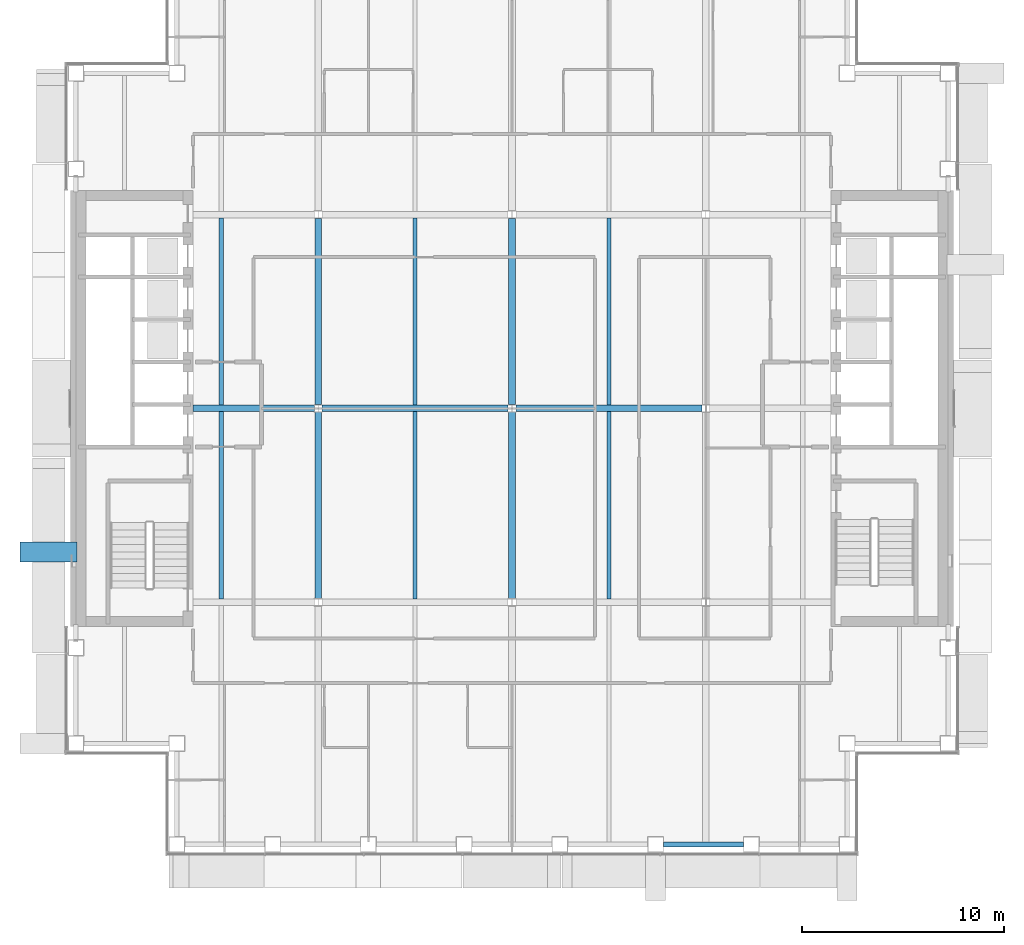
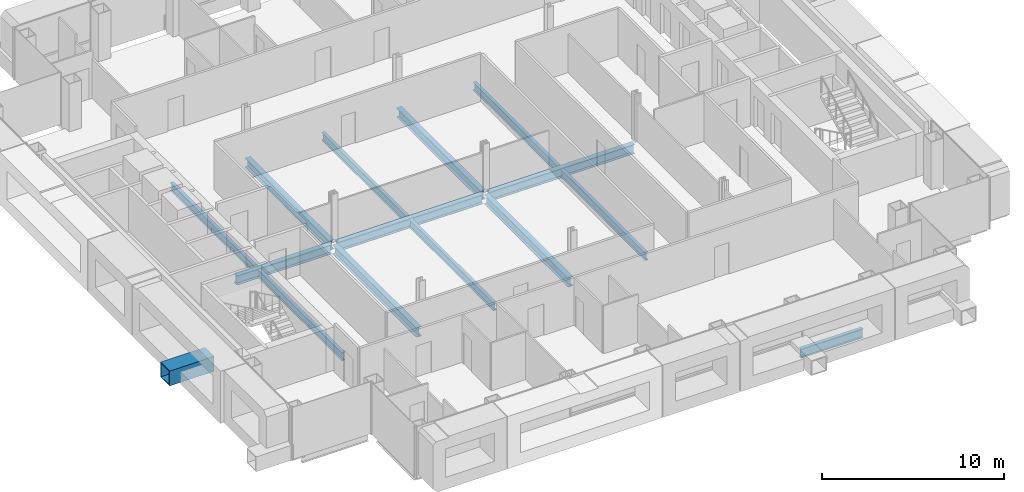
# One storey, part 5 of 21: 15 beams.
"""IFC4 building model written with IfcOpenShell, lengths in metres."""

from ifc_helpers import new_model, si_unit, direction, frame, origin, origin_2d, place, context, subcontext, project, spatial, hollow_rectangle, i_section, extrude, material, material_profile, profile_set, type_object, element, save


model = new_model("IFC4")

# Units and contexts
model_context = context("Model", 3, precision=1e-05, world=origin(), true_north=direction((0.0, 1.0)))
body_context = subcontext(model_context, "Body", "Model", "MODEL_VIEW")
ifc_project = project(units=[si_unit("LENGTHUNIT", "METRE"), si_unit("AREAUNIT", "SQUARE_METRE"), si_unit("VOLUMEUNIT", "CUBIC_METRE"), si_unit("PLANEANGLEUNIT", "RADIAN"), si_unit("MASSUNIT", "GRAM", prefix="KILO")], contexts=[model_context])

# Site, building, storey
site_placement = place(None, origin())
site = spatial("IfcSite", under=ifc_project, at=site_placement, CompositionType="ELEMENT")
building_placement = place(site_placement, origin())
building = spatial("IfcBuilding", under=site, at=building_placement, Name="Cobrizo Arcos Hotel Tower", CompositionType="ELEMENT")
storey_placement = place(building_placement, frame((0.0, 0.0, 183.0)))
storey = spatial("IfcBuildingStorey", under=building, at=storey_placement, Name="L47", CompositionType="ELEMENT", Elevation=183.0)

# Beams
ifc_material_1 = material(Name="Steel ASTM A572 Grade 50", Category="steel")
ifc_material_profile_1 = material_profile(ifc_material_1, hollow_rectangle(XDim=1.0, YDim=1.0, WallThickness=0.06005859375, at=origin_2d()), Name="BOX 1000X1000X60")
ifc_profile_set_1 = profile_set([ifc_material_profile_1], Name="Steel ASTM A572 Grade 50")
beam_type_1 = type_object("IfcBeamType", Name="BOX 1000X1000X60 brace connector strut", PredefinedType="BEAM", material=ifc_profile_set_1)
beam_1_placement = place(storey_placement, frame((-21.550048828125, -7.1142578125, 0.5), z_axis=(-1.0, 0.0, 0.0), x_axis=(0.0, -1.0, 0.0)))
element("IfcBeam", 1, at=beam_1_placement, inside=storey, type_object=beam_type_1, Name="Perimeter brace stub BS1, zone Z3, west face, offset -7.11 m, L47", PredefinedType="BEAM", context=body_context, shape_type="SweptSolid", body=[
    extrude(hollow_rectangle(XDim=1.0, YDim=1.0, WallThickness=0.06005859375, at=origin_2d()), origin(), (0.0, 0.0, 1.0), 2.820068359375),
])
ifc_material_2 = material(Name="Steel ASTM A992 Grade 50", Category="steel")
ifc_material_profile_2 = material_profile(ifc_material_2, i_section(OverallWidth=0.209228515625, OverallDepth=0.533447265625, WebThickness=0.01025390625, FlangeThickness=0.015625, at=origin_2d()), Name="W21X62")
ifc_profile_set_2 = profile_set([ifc_material_profile_2], Name="Steel ASTM A992 Grade 50")
beam_type_2 = type_object("IfcBeamType", Name="W21X62 joist", PredefinedType="JOIST", material=ifc_profile_set_2)
for number, where, z_axis, x_axis, name in (
    (2, (-14.39990234375, -9.43603515625, -0.416748046875), (0.0, 1.0, 0.0), (-1.0, 0.0, 0.0), "Floor joist J1, L47, no. 004"),
    (3, (-14.39990234375, 0.163818359375, -0.416748046875), (0.0, 1.0, 0.0), (-1.0, 0.0, 0.0), "Floor joist J1, L47, no. 005"),
    (4, (-4.800048828125, -9.43603515625, -0.416748046875), (0.0, 1.0, 0.0), (-1.0, 0.0, 0.0), "Floor joist J1, L47, no. 008"),
    (5, (-4.800048828125, 0.163818359375, -0.416748046875), (0.0, 1.0, 0.0), (-1.0, 0.0, 0.0), "Floor joist J1, L47, no. 009"),
    (6, (4.800048828125, -9.43603515625, -0.416748046875), (0.0, 1.0, 0.0), (-1.0, 0.0, 0.0), "Floor joist J1, L47, no. 012"),
    (7, (4.800048828125, 0.163818359375, -0.416748046875), (0.0, 1.0, 0.0), (-1.0, 0.0, 0.0), "Floor joist J1, L47, no. 013"),
):
    element("IfcBeam", number, at=place(storey_placement, frame(where, z_axis=z_axis, x_axis=x_axis)), inside=storey, type_object=beam_type_2, Name=name, PredefinedType="JOIST", context=body_context, shape_type="SweptSolid", body=[
        extrude(i_section(OverallWidth=0.209228515625, OverallDepth=0.533447265625, WebThickness=0.01025390625, FlangeThickness=0.015625, at=origin_2d()), origin(), (0.0, 0.0, 1.0), 9.272216796875),
    ])
ifc_material_profile_3 = material_profile(ifc_material_2, i_section(OverallWidth=0.32763671875, OverallDepth=0.622314453125, WebThickness=0.015380859375, FlangeThickness=0.0244140625, at=origin_2d()), Name="W24X131")
ifc_profile_set_3 = profile_set([ifc_material_profile_3], Name="Steel ASTM A992 Grade 50")
beam_type_3 = type_object("IfcBeamType", Name="W24X131 girder", PredefinedType="BEAM", material=ifc_profile_set_3)
beam_2_placement = place(storey_placement, frame((-15.7900390625, 0.0, -0.461181640625), z_axis=(1.0, 0.0, 0.0), x_axis=(0.0, 1.0, 0.0)))
element("IfcBeam", 8, at=beam_2_placement, inside=storey, type_object=beam_type_3, Name="Floor girder G1, L47, no. 005", PredefinedType="BEAM", context=body_context, shape_type="SweptSolid", body=[
    extrude(i_section(OverallWidth=0.32763671875, OverallDepth=0.622314453125, WebThickness=0.015380859375, FlangeThickness=0.0244140625, at=origin_2d()), origin(), (0.0, 0.0, 1.0), 6.00341796875),
])
for number, where, z_axis, x_axis, name in (
    (9, (-9.413330078125, 0.0, -0.461181640625), (1.0, 0.0, 0.0), (0.0, 1.0, 0.0), "Floor girder G1, L47, no. 006"),
    (10, (0.186767578125, 0.0, -0.461181640625), (1.0, 0.0, 0.0), (0.0, 1.0, 0.0), "Floor girder G1, L47, no. 007"),
    (11, (-9.60009765625, -9.413330078125, -0.461181640625), (0.0, 1.0, 0.0), (-1.0, 0.0, 0.0), "Floor girder G1, L47, no. 014"),
    (12, (-9.60009765625, 0.186767578125, -0.461181640625), (0.0, 1.0, 0.0), (-1.0, 0.0, 0.0), "Floor girder G1, L47, no. 015"),
    (13, (0.0, -9.413330078125, -0.461181640625), (0.0, 1.0, 0.0), (-1.0, 0.0, 0.0), "Floor girder G1, L47, no. 018"),
    (14, (0.0, 0.186767578125, -0.461181640625), (0.0, 1.0, 0.0), (-1.0, 0.0, 0.0), "Floor girder G1, L47, no. 019"),
):
    element("IfcBeam", number, at=place(storey_placement, frame(where, z_axis=z_axis, x_axis=x_axis)), inside=storey, type_object=beam_type_3, Name=name, PredefinedType="BEAM", context=body_context, shape_type="SweptSolid", body=[
        extrude(i_section(OverallWidth=0.32763671875, OverallDepth=0.622314453125, WebThickness=0.015380859375, FlangeThickness=0.0244140625, at=origin_2d()), origin(), (0.0, 0.0, 1.0), 9.2265625),
    ])
ifc_material_profile_4 = material_profile(ifc_material_2, i_section(OverallWidth=0.228271484375, OverallDepth=0.607177734375, WebThickness=0.01123046875, FlangeThickness=0.017333984375, at=origin_2d()), Name="W24X76")
ifc_profile_set_4 = profile_set([ifc_material_profile_4], Name="Steel ASTM A992 Grade 50")
beam_type_4 = type_object("IfcBeamType", Name="W24X76 spandrel", PredefinedType="SPANDREL", material=ifc_profile_set_4)
beam_3_placement = place(storey_placement, frame((7.513916015625, -21.60009765625, -0.45361328125), z_axis=(1.0, 0.0, 0.0), x_axis=(0.0, 1.0, 0.0)))
element("IfcBeam", 15, at=beam_3_placement, inside=storey, type_object=beam_type_4, Name="Spandrel beam W24X76, L47, no. 006", PredefinedType="SPANDREL", context=body_context, shape_type="SweptSolid", body=[
    extrude(i_section(OverallWidth=0.228271484375, OverallDepth=0.607177734375, WebThickness=0.01123046875, FlangeThickness=0.017333984375, at=origin_2d()), origin(), (0.0, 0.0, 1.0), 3.943115234375),
])

save(model, "model.ifc")
